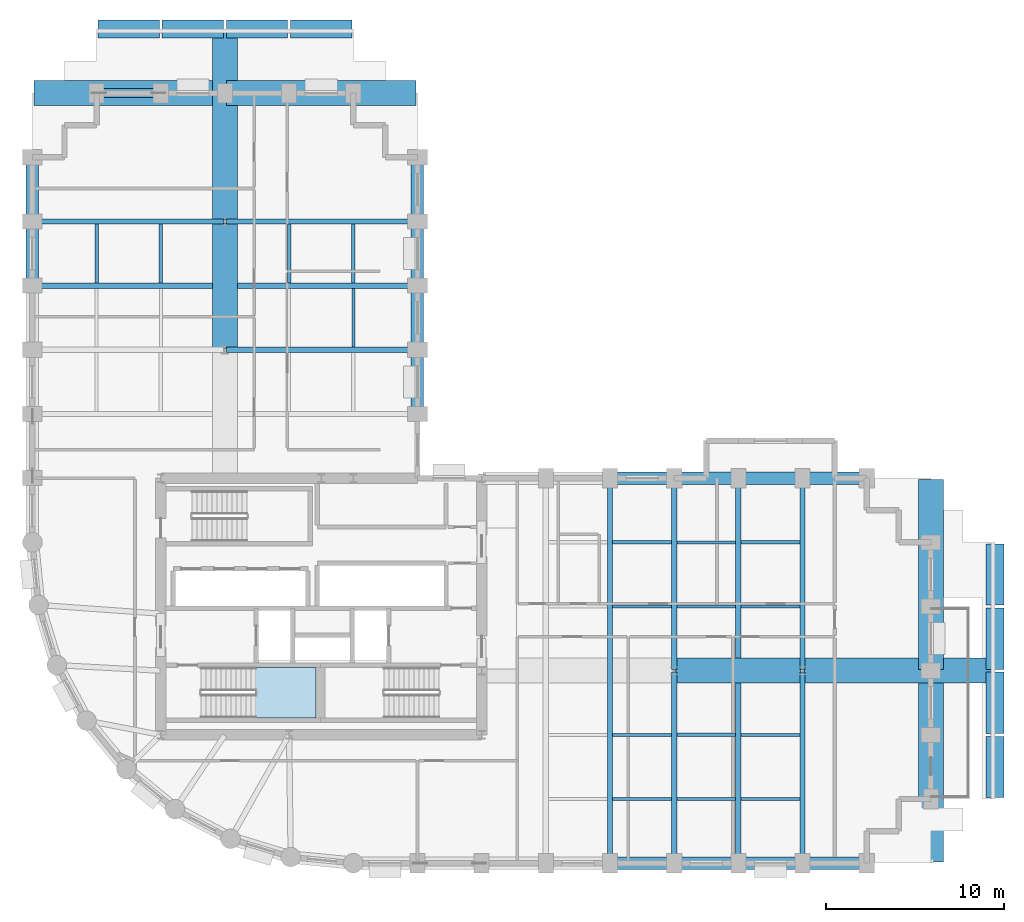
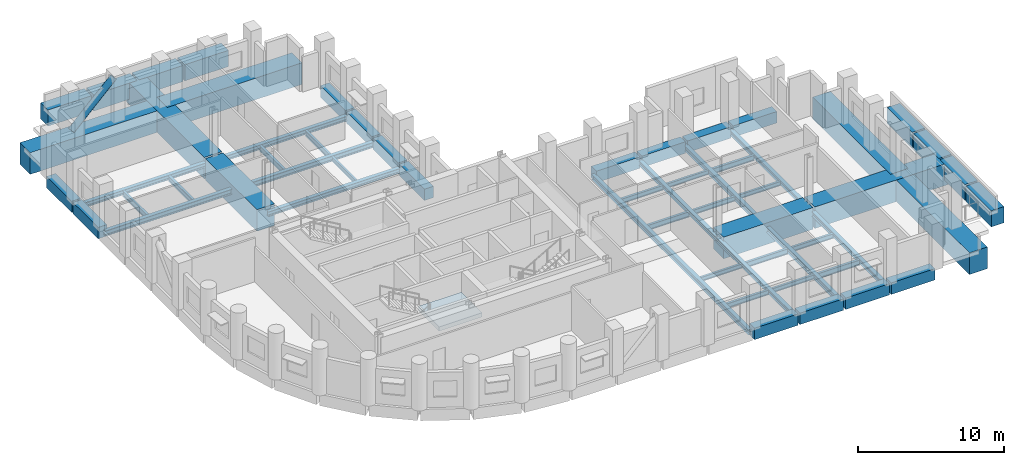
# One storey, part 2 of 9: 57 beams, 1 member, 1 slab, 1 element without a shape of its own.
"""IFC4 building model written with IfcOpenShell, lengths in metres."""

from ifc_helpers import new_model, si_unit, direction, frame, origin, origin_2d, place, context, subcontext, project, spatial, polyline, rectangle, hollow_circle, i_section, outline, extrude, material, layer, layer_set, material_profile, profile_set, type_object, element, aggregate, save


model = new_model("IFC4")

# Units and contexts
model_context = context("Model", 3, precision=1e-05, world=origin(), true_north=direction((0.0, 1.0)))
body_context = subcontext(model_context, "Body", "Model", "MODEL_VIEW")
ifc_project = project(units=[si_unit("LENGTHUNIT", "METRE"), si_unit("AREAUNIT", "SQUARE_METRE"), si_unit("VOLUMEUNIT", "CUBIC_METRE"), si_unit("PLANEANGLEUNIT", "RADIAN"), si_unit("MASSUNIT", "GRAM", prefix="KILO")], contexts=[model_context])

# Site, building, storey
site_placement = place(None, origin())
site = spatial("IfcSite", under=ifc_project, at=site_placement, CompositionType="ELEMENT")
building_placement = place(site_placement, origin())
building = spatial("IfcBuilding", under=site, at=building_placement, Name="Solnavia Interchange Tower", CompositionType="ELEMENT")
storey_placement = place(building_placement, frame((0.0, 0.0, 80.10009765625)))
storey = spatial("IfcBuildingStorey", under=building, at=storey_placement, Name="L19", CompositionType="ELEMENT", Elevation=80.10009765625)

# Beams
ifc_material_1 = material(Name="Steel S355", Category="steel")
ifc_material_profile_1 = material_profile(ifc_material_1, i_section(OverallWidth=0.169921875, OverallDepth=0.360107421875, WebThickness=0.008056640625, FlangeThickness=0.0126953125, FilletRadius=0.01806640625, at=origin_2d()), Name="IPE 360")
ifc_profile_set_1 = profile_set([ifc_material_profile_1], Name="Steel S355")
beam_type_1 = type_object("IfcBeamType", Name="Beam-Joist-IPE360", PredefinedType="JOIST", material=ifc_profile_set_1)
beam_1_placement = place(storey_placement, frame((43.35009765625, 7.199951171875, -0.5), z_axis=(1.0, 0.0, 0.0), x_axis=(0.0, 1.0, 0.0)))
element("IfcBeam", 1, at=beam_1_placement, inside=storey, type_object=beam_type_1, Name="JST-L19-E03 East wing secondary joist", PredefinedType="JOIST", context=body_context, shape_type="SweptSolid", body=[
    extrude(i_section(OverallWidth=0.169921875, OverallDepth=0.360107421875, WebThickness=0.008056640625, FlangeThickness=0.0126953125, FilletRadius=0.01806640625, at=origin_2d()), origin(), (0.0, 0.0, 1.0), 3.2998046875),
])
for number, where, z_axis, x_axis, name in (
    (2, (39.75, 10.800048828125, -0.5), (1.0, 0.0, 0.0), (0.0, 1.0, 0.0), "JST-L19-E06 East wing secondary joist"),
    (3, (46.949951171875, 18.0, -0.5), (1.0, 0.0, 0.0), (0.0, 1.0, 0.0), "JST-L19-E12 East wing secondary joist"),
):
    element("IfcBeam", number, at=place(storey_placement, frame(where, z_axis=z_axis, x_axis=x_axis)), inside=storey, type_object=beam_type_1, Name=name, PredefinedType="JOIST", context=body_context, shape_type="SweptSolid", body=[
        extrude(i_section(OverallWidth=0.169921875, OverallDepth=0.360107421875, WebThickness=0.008056640625, FlangeThickness=0.0126953125, FilletRadius=0.01806640625, at=origin_2d()), origin(), (0.0, 0.0, 1.0), 3.300048828125),
    ])
beam_2_placement = place(storey_placement, frame((43.35009765625, 21.60009765625, -0.5), z_axis=(1.0, 0.0, 0.0), x_axis=(0.0, 1.0, 0.0)))
element("IfcBeam", 4, at=beam_2_placement, inside=storey, type_object=beam_type_1, Name="JST-L19-E15 East wing secondary joist", PredefinedType="JOIST", context=body_context, shape_type="SweptSolid", body=[
    extrude(i_section(OverallWidth=0.169921875, OverallDepth=0.360107421875, WebThickness=0.008056640625, FlangeThickness=0.0126953125, FilletRadius=0.01806640625, at=origin_2d()), origin(), (0.0, 0.0, 1.0), 3.2998046875),
])
beam_3_placement = place(storey_placement, frame((25.199951171875, 32.550048828125, -0.5), z_axis=(0.0, 1.0, 0.0), x_axis=(-1.0, 0.0, 0.0)))
element("IfcBeam", 5, at=beam_3_placement, inside=storey, type_object=beam_type_1, Name="JST-L19-N27 North wing secondary joist", PredefinedType="JOIST", context=body_context, shape_type="SweptSolid", body=[
    extrude(i_section(OverallWidth=0.169921875, OverallDepth=0.360107421875, WebThickness=0.008056640625, FlangeThickness=0.0126953125, FilletRadius=0.01806640625, at=origin_2d()), origin(), (0.0, 0.0, 1.0), 3.300048828125),
])
ifc_material_profile_2 = material_profile(ifc_material_1, i_section(OverallWidth=0.179931640625, OverallDepth=0.39990234375, WebThickness=0.008544921875, FlangeThickness=0.013427734375, FilletRadius=0.02099609375, at=origin_2d()), Name="IPE 400")
ifc_profile_set_2 = profile_set([ifc_material_profile_2], Name="Steel S355")
beam_type_2 = type_object("IfcBeamType", Name="Beam-Joist-IPE400", PredefinedType="JOIST", material=ifc_profile_set_2)
for number, where, z_axis, x_axis, name in (
    (6, (39.75, 7.199951171875, -0.52001953125), (1.0, 0.0, 0.0), (0.0, 1.0, 0.0), "JST-L19-E02 East wing secondary joist"),
    (7, (46.949951171875, 10.800048828125, -0.52001953125), (1.0, 0.0, 0.0), (0.0, 1.0, 0.0), "JST-L19-E08 East wing secondary joist"),
):
    element("IfcBeam", number, at=place(storey_placement, frame(where, z_axis=z_axis, x_axis=x_axis)), inside=storey, type_object=beam_type_2, Name=name, PredefinedType="JOIST", context=body_context, shape_type="SweptSolid", body=[
        extrude(i_section(OverallWidth=0.179931640625, OverallDepth=0.39990234375, WebThickness=0.008544921875, FlangeThickness=0.013427734375, FilletRadius=0.02099609375, at=origin_2d()), origin(), (0.0, 0.0, 1.0), 3.300048828125),
    ])
beam_4_placement = place(storey_placement, frame((43.35009765625, 18.0, -0.52001953125), z_axis=(1.0, 0.0, 0.0), x_axis=(0.0, 1.0, 0.0)))
element("IfcBeam", 8, at=beam_4_placement, inside=storey, type_object=beam_type_2, Name="JST-L19-E11 East wing secondary joist", PredefinedType="JOIST", context=body_context, shape_type="SweptSolid", body=[
    extrude(i_section(OverallWidth=0.179931640625, OverallDepth=0.39990234375, WebThickness=0.008544921875, FlangeThickness=0.013427734375, FilletRadius=0.02099609375, at=origin_2d()), origin(), (0.0, 0.0, 1.0), 3.2998046875),
])
beam_5_placement = place(storey_placement, frame((39.75, 21.60009765625, -0.52001953125), z_axis=(1.0, 0.0, 0.0), x_axis=(0.0, 1.0, 0.0)))
element("IfcBeam", 9, at=beam_5_placement, inside=storey, type_object=beam_type_2, Name="JST-L19-E14 East wing secondary joist", PredefinedType="JOIST", context=body_context, shape_type="SweptSolid", body=[
    extrude(i_section(OverallWidth=0.179931640625, OverallDepth=0.39990234375, WebThickness=0.008544921875, FlangeThickness=0.013427734375, FilletRadius=0.02099609375, at=origin_2d()), origin(), (0.0, 0.0, 1.0), 3.300048828125),
])
ifc_material_profile_3 = material_profile(ifc_material_1, i_section(OverallWidth=0.18994140625, OverallDepth=0.449951171875, WebThickness=0.009521484375, FlangeThickness=0.0146484375, FilletRadius=0.02099609375, at=origin_2d()), Name="IPE 450")
ifc_profile_set_3 = profile_set([ifc_material_profile_3], Name="Steel S355")
beam_type_3 = type_object("IfcBeamType", Name="Beam-Joist-IPE450", PredefinedType="JOIST", material=ifc_profile_set_3)
beam_6_placement = place(storey_placement, frame((46.949951171875, 7.199951171875, -0.545166015625), z_axis=(1.0, 0.0, 0.0), x_axis=(0.0, 1.0, 0.0)))
element("IfcBeam", 10, at=beam_6_placement, inside=storey, type_object=beam_type_3, Name="JST-L19-E04 East wing secondary joist", PredefinedType="JOIST", context=body_context, shape_type="SweptSolid", body=[
    extrude(i_section(OverallWidth=0.18994140625, OverallDepth=0.449951171875, WebThickness=0.009521484375, FlangeThickness=0.0146484375, FilletRadius=0.02099609375, at=origin_2d()), origin(), (0.0, 0.0, 1.0), 3.300048828125),
])
beam_7_placement = place(storey_placement, frame((43.35009765625, 10.800048828125, -0.545166015625), z_axis=(1.0, 0.0, 0.0), x_axis=(0.0, 1.0, 0.0)))
element("IfcBeam", 11, at=beam_7_placement, inside=storey, type_object=beam_type_3, Name="JST-L19-E07 East wing secondary joist", PredefinedType="JOIST", context=body_context, shape_type="SweptSolid", body=[
    extrude(i_section(OverallWidth=0.18994140625, OverallDepth=0.449951171875, WebThickness=0.009521484375, FlangeThickness=0.0146484375, FilletRadius=0.02099609375, at=origin_2d()), origin(), (0.0, 0.0, 1.0), 3.2998046875),
])
for number, where, z_axis, x_axis, name in (
    (12, (39.75, 18.0, -0.545166015625), (1.0, 0.0, 0.0), (0.0, 1.0, 0.0), "JST-L19-E10 East wing secondary joist"),
    (13, (46.949951171875, 21.60009765625, -0.545166015625), (1.0, 0.0, 0.0), (0.0, 1.0, 0.0), "JST-L19-E16 East wing secondary joist"),
    (14, (10.800048828125, 36.14990234375, -0.545166015625), (0.0, 1.0, 0.0), (-1.0, 0.0, 0.0), "JST-L19-N19 North wing secondary joist"),
    (15, (14.39990234375, 36.14990234375, -0.545166015625), (0.0, 1.0, 0.0), (-1.0, 0.0, 0.0), "JST-L19-N22 North wing secondary joist"),
    (16, (21.60009765625, 36.14990234375, -0.545166015625), (0.0, 1.0, 0.0), (-1.0, 0.0, 0.0), "JST-L19-N25 North wing secondary joist"),
    (17, (25.199951171875, 36.14990234375, -0.545166015625), (0.0, 1.0, 0.0), (-1.0, 0.0, 0.0), "JST-L19-N28 North wing secondary joist"),
):
    element("IfcBeam", number, at=place(storey_placement, frame(where, z_axis=z_axis, x_axis=x_axis)), inside=storey, type_object=beam_type_3, Name=name, PredefinedType="JOIST", context=body_context, shape_type="SweptSolid", body=[
        extrude(i_section(OverallWidth=0.18994140625, OverallDepth=0.449951171875, WebThickness=0.009521484375, FlangeThickness=0.0146484375, FilletRadius=0.02099609375, at=origin_2d()), origin(), (0.0, 0.0, 1.0), 3.300048828125),
    ])
ifc_material_profile_4 = material_profile(ifc_material_1, i_section(OverallWidth=0.300048828125, OverallDepth=0.389892578125, WebThickness=0.010986328125, FlangeThickness=0.01904296875, FilletRadius=0.027099609375, at=origin_2d()), Name="HEA 400")
ifc_profile_set_4 = profile_set([ifc_material_profile_4], Name="Steel S355")
beam_type_4 = type_object("IfcBeamType", Name="Beam-Primary-HEA400", PredefinedType="BEAM", material=ifc_profile_set_4)
for number, where, z_axis, x_axis, name in (
    (18, (43.199951171875, 3.679931640625, -0.51513671875), (0.0, 1.0, 0.0), (-1.0, 0.0, 0.0), "GRD-L19-EW03 East wing primary floor girder"),
    (19, (43.199951171875, 14.47998046875, -0.51513671875), (0.0, 1.0, 0.0), (-1.0, 0.0, 0.0), "GRD-L19-EW04 East wing primary floor girder"),
    (20, (50.39990234375, 3.679931640625, -0.51513671875), (0.0, 1.0, 0.0), (-1.0, 0.0, 0.0), "GRD-L19-EW06 East wing primary floor girder"),
    (21, (50.39990234375, 14.47998046875, -0.51513671875), (0.0, 1.0, 0.0), (-1.0, 0.0, 0.0), "GRD-L19-EW07 East wing primary floor girder"),
):
    element("IfcBeam", number, at=place(storey_placement, frame(where, z_axis=z_axis, x_axis=x_axis)), inside=storey, type_object=beam_type_4, Name=name, PredefinedType="BEAM", context=body_context, shape_type="SweptSolid", body=[
        extrude(i_section(OverallWidth=0.300048828125, OverallDepth=0.389892578125, WebThickness=0.010986328125, FlangeThickness=0.01904296875, FilletRadius=0.027099609375, at=origin_2d()), origin(), (0.0, 0.0, 1.0), 10.64013671875),
    ])
for number, where, z_axis, x_axis, name in (
    (22, (18.080078125, 32.39990234375, -0.51513671875), (1.0, 0.0, 0.0), (0.0, 1.0, 0.0), "GRD-L19-NW10 North wing primary floor girder"),
    (23, (7.280029296875, 39.60009765625, -0.51513671875), (1.0, 0.0, 0.0), (0.0, 1.0, 0.0), "GRD-L19-NW12 North wing primary floor girder"),
    (24, (18.080078125, 39.60009765625, -0.51513671875), (1.0, 0.0, 0.0), (0.0, 1.0, 0.0), "GRD-L19-NW13 North wing primary floor girder"),
):
    element("IfcBeam", number, at=place(storey_placement, frame(where, z_axis=z_axis, x_axis=x_axis)), inside=storey, type_object=beam_type_4, Name=name, PredefinedType="BEAM", context=body_context, shape_type="SweptSolid", body=[
        extrude(i_section(OverallWidth=0.300048828125, OverallDepth=0.389892578125, WebThickness=0.010986328125, FlangeThickness=0.01904296875, FilletRadius=0.027099609375, at=origin_2d()), origin(), (0.0, 0.0, 1.0), 10.639892578125),
    ])
ifc_material_profile_5 = material_profile(ifc_material_1, i_section(OverallWidth=0.300048828125, OverallDepth=0.43994140625, WebThickness=0.011474609375, FlangeThickness=0.02099609375, FilletRadius=0.027099609375, at=origin_2d()), Name="HEA 450")
ifc_profile_set_5 = profile_set([ifc_material_profile_5], Name="Steel S355")
beam_type_5 = type_object("IfcBeamType", Name="Beam-Primary-HEA450", PredefinedType="BEAM", material=ifc_profile_set_5)
for number, where, z_axis, x_axis, name in (
    (25, (39.60009765625, 3.679931640625, -0.5400390625), (0.0, 1.0, 0.0), (-1.0, 0.0, 0.0), "GRD-L19-EW02 East wing primary floor girder"),
    (26, (46.800048828125, 3.679931640625, -0.5400390625), (0.0, 1.0, 0.0), (-1.0, 0.0, 0.0), "GRD-L19-EW05 East wing primary floor girder"),
):
    element("IfcBeam", number, at=place(storey_placement, frame(where, z_axis=z_axis, x_axis=x_axis)), inside=storey, type_object=beam_type_5, Name=name, PredefinedType="BEAM", context=body_context, shape_type="SweptSolid", body=[
        extrude(i_section(OverallWidth=0.300048828125, OverallDepth=0.43994140625, WebThickness=0.011474609375, FlangeThickness=0.02099609375, FilletRadius=0.027099609375, at=origin_2d()), origin(), (0.0, 0.0, 1.0), 21.440185546875),
    ])
beam_8_placement = place(storey_placement, frame((7.280029296875, 36.0, -0.5400390625), z_axis=(1.0, 0.0, 0.0), x_axis=(0.0, 1.0, 0.0)))
element("IfcBeam", 27, at=beam_8_placement, inside=storey, type_object=beam_type_5, Name="GRD-L19-NW11 North wing primary floor girder", PredefinedType="BEAM", context=body_context, shape_type="SweptSolid", body=[
    extrude(i_section(OverallWidth=0.300048828125, OverallDepth=0.43994140625, WebThickness=0.011474609375, FlangeThickness=0.02099609375, FilletRadius=0.027099609375, at=origin_2d()), origin(), (0.0, 0.0, 1.0), 21.43994140625),
])
ifc_material_2 = material(Name="Concrete C50/60", Category="concrete")
ifc_material_profile_6 = material_profile(ifc_material_2, rectangle(XDim=0.699951171875, YDim=0.949951171875, at=origin_2d()), Name="RC 700x950")
ifc_profile_set_6 = profile_set([ifc_material_profile_6], Name="Concrete C50/60")
beam_type_6 = type_object("IfcBeamType", Name="Beam-Spandrel-RC700x950", PredefinedType="SPANDREL", material=ifc_profile_set_6)
beam_9_placement = place(storey_placement, frame((39.679931640625, 3.60009765625, -0.47509765625), z_axis=(1.0, 0.0, 0.0), x_axis=(0.0, 1.0, 0.0)))
element("IfcBeam", 28, at=beam_9_placement, inside=storey, type_object=beam_type_6, Name="SPB-L19-13 Framed-tube perimeter spandrel beam", PredefinedType="SPANDREL", context=body_context, shape_type="SweptSolid", body=[
    extrude(rectangle(XDim=0.699951171875, YDim=0.949951171875, at=origin_2d()), origin(), (0.0, 0.0, 1.0), 3.440185546875),
])
beam_10_placement = place(storey_placement, frame((43.280029296875, 3.60009765625, -0.47509765625), z_axis=(1.0, 0.0, 0.0), x_axis=(0.0, 1.0, 0.0)))
element("IfcBeam", 29, at=beam_10_placement, inside=storey, type_object=beam_type_6, Name="SPB-L19-14 Framed-tube perimeter spandrel beam", PredefinedType="SPANDREL", context=body_context, shape_type="SweptSolid", body=[
    extrude(rectangle(XDim=0.699951171875, YDim=0.949951171875, at=origin_2d()), origin(), (0.0, 0.0, 1.0), 3.43994140625),
])
beam_11_placement = place(storey_placement, frame((46.8798828125, 3.60009765625, -0.47509765625), z_axis=(1.0, 0.0, 0.0), x_axis=(0.0, 1.0, 0.0)))
element("IfcBeam", 30, at=beam_11_placement, inside=storey, type_object=beam_type_6, Name="SPB-L19-15 Framed-tube perimeter spandrel beam", PredefinedType="SPANDREL", context=body_context, shape_type="SweptSolid", body=[
    extrude(rectangle(XDim=0.699951171875, YDim=0.949951171875, at=origin_2d()), origin(), (0.0, 0.0, 1.0), 3.440185546875),
])
for number, where, z_axis, x_axis, name in (
    (31, (50.47998046875, 3.60009765625, -0.47509765625), (1.0, 0.0, 0.0), (0.0, 1.0, 0.0), "SPB-L19-16 Framed-tube perimeter spandrel beam"),
    (32, (53.919921875, 25.199951171875, -0.47509765625), (-1.0, 0.0, 0.0), (0.0, -1.0, 0.0), "SPB-L19-17 Framed-tube perimeter spandrel beam"),
):
    element("IfcBeam", number, at=place(storey_placement, frame(where, z_axis=z_axis, x_axis=x_axis)), inside=storey, type_object=beam_type_6, Name=name, PredefinedType="SPANDREL", context=body_context, shape_type="SweptSolid", body=[
        extrude(rectangle(XDim=0.699951171875, YDim=0.949951171875, at=origin_2d()), origin(), (0.0, 0.0, 1.0), 3.43994140625),
    ])
beam_12_placement = place(storey_placement, frame((50.320068359375, 25.199951171875, -0.47509765625), z_axis=(-1.0, 0.0, 0.0), x_axis=(0.0, -1.0, 0.0)))
element("IfcBeam", 33, at=beam_12_placement, inside=storey, type_object=beam_type_6, Name="SPB-L19-18 Framed-tube perimeter spandrel beam", PredefinedType="SPANDREL", context=body_context, shape_type="SweptSolid", body=[
    extrude(rectangle(XDim=0.699951171875, YDim=0.949951171875, at=origin_2d()), origin(), (0.0, 0.0, 1.0), 3.440185546875),
])
beam_13_placement = place(storey_placement, frame((46.719970703125, 25.199951171875, -0.47509765625), z_axis=(-1.0, 0.0, 0.0), x_axis=(0.0, -1.0, 0.0)))
element("IfcBeam", 34, at=beam_13_placement, inside=storey, type_object=beam_type_6, Name="SPB-L19-19 Framed-tube perimeter spandrel beam", PredefinedType="SPANDREL", context=body_context, shape_type="SweptSolid", body=[
    extrude(rectangle(XDim=0.699951171875, YDim=0.949951171875, at=origin_2d()), origin(), (0.0, 0.0, 1.0), 3.43994140625),
])
for number, where, z_axis, x_axis, name in (
    (35, (43.1201171875, 25.199951171875, -0.47509765625), (-1.0, 0.0, 0.0), (0.0, -1.0, 0.0), "SPB-L19-20 Framed-tube perimeter spandrel beam"),
    (36, (28.800048828125, 28.8798828125, -0.47509765625), (0.0, 1.0, 0.0), (-1.0, 0.0, 0.0), "SPB-L19-23 Framed-tube perimeter spandrel beam"),
):
    element("IfcBeam", number, at=place(storey_placement, frame(where, z_axis=z_axis, x_axis=x_axis)), inside=storey, type_object=beam_type_6, Name=name, PredefinedType="SPANDREL", context=body_context, shape_type="SweptSolid", body=[
        extrude(rectangle(XDim=0.699951171875, YDim=0.949951171875, at=origin_2d()), origin(), (0.0, 0.0, 1.0), 3.440185546875),
    ])
for number, where, z_axis, x_axis, name in (
    (37, (28.800048828125, 32.47998046875, -0.47509765625), (0.0, 1.0, 0.0), (-1.0, 0.0, 0.0), "SPB-L19-24 Framed-tube perimeter spandrel beam"),
    (38, (28.800048828125, 36.080078125, -0.47509765625), (0.0, 1.0, 0.0), (-1.0, 0.0, 0.0), "SPB-L19-25 Framed-tube perimeter spandrel beam"),
):
    element("IfcBeam", number, at=place(storey_placement, frame(where, z_axis=z_axis, x_axis=x_axis)), inside=storey, type_object=beam_type_6, Name=name, PredefinedType="SPANDREL", context=body_context, shape_type="SweptSolid", body=[
        extrude(rectangle(XDim=0.699951171875, YDim=0.949951171875, at=origin_2d()), origin(), (0.0, 0.0, 1.0), 3.43994140625),
    ])
for number, where, z_axis, x_axis, name in (
    (39, (28.800048828125, 39.679931640625, -0.47509765625), (0.0, 1.0, 0.0), (-1.0, 0.0, 0.0), "SPB-L19-26 Framed-tube perimeter spandrel beam"),
    (40, (7.199951171875, 43.1201171875, -0.47509765625), (0.0, -1.0, 0.0), (1.0, 0.0, 0.0), "SPB-L19-27 Framed-tube perimeter spandrel beam"),
):
    element("IfcBeam", number, at=place(storey_placement, frame(where, z_axis=z_axis, x_axis=x_axis)), inside=storey, type_object=beam_type_6, Name=name, PredefinedType="SPANDREL", context=body_context, shape_type="SweptSolid", body=[
        extrude(rectangle(XDim=0.699951171875, YDim=0.949951171875, at=origin_2d()), origin(), (0.0, 0.0, 1.0), 3.440185546875),
    ])
beam_14_placement = place(storey_placement, frame((7.199951171875, 39.52001953125, -0.47509765625), z_axis=(0.0, -1.0, 0.0), x_axis=(1.0, 0.0, 0.0)))
element("IfcBeam", 41, at=beam_14_placement, inside=storey, type_object=beam_type_6, Name="SPB-L19-28 Framed-tube perimeter spandrel beam", PredefinedType="SPANDREL", context=body_context, shape_type="SweptSolid", body=[
    extrude(rectangle(XDim=0.699951171875, YDim=0.949951171875, at=origin_2d()), origin(), (0.0, 0.0, 1.0), 3.43994140625),
])
ifc_material_3 = material(Name="Concrete C60/75", Category="concrete")
ifc_material_profile_7 = material_profile(ifc_material_3, rectangle(XDim=1.0, YDim=1.35009765625, at=origin_2d()), Name="RC 1000x1350")
ifc_profile_set_7 = profile_set([ifc_material_profile_7], Name="Concrete C60/75")
beam_type_7 = type_object("IfcBeamType", Name="Beam-Transfer-RC1000x1350", PredefinedType="BEAM", material=ifc_profile_set_7)
beam_15_placement = place(storey_placement, frame((61.199951171875, 7.280029296875, -0.675048828125), z_axis=(0.0, 1.0, 0.0), x_axis=(-1.0, 0.0, 0.0)))
element("IfcBeam", 42, at=beam_15_placement, inside=storey, type_object=beam_type_7, Name="TRB-L19-06 East setback ledge edge beam", PredefinedType="BEAM", context=body_context, shape_type="SweptSolid", body=[
    extrude(rectangle(XDim=1.0, YDim=1.35009765625, at=origin_2d()), origin(), (0.0, 0.0, 1.0), 3.43994140625),
])
beam_16_placement = place(storey_placement, frame((61.199951171875, 10.8798828125, -0.675048828125), z_axis=(0.0, 1.0, 0.0), x_axis=(-1.0, 0.0, 0.0)))
element("IfcBeam", 43, at=beam_16_placement, inside=storey, type_object=beam_type_7, Name="TRB-L19-07 East setback ledge edge beam", PredefinedType="BEAM", context=body_context, shape_type="SweptSolid", body=[
    extrude(rectangle(XDim=1.0, YDim=1.35009765625, at=origin_2d()), origin(), (0.0, 0.0, 1.0), 3.440185546875),
])
for number, where, z_axis, x_axis, name in (
    (44, (61.199951171875, 14.47998046875, -0.675048828125), (0.0, 1.0, 0.0), (-1.0, 0.0, 0.0), "TRB-L19-08 East setback ledge edge beam"),
    (45, (61.199951171875, 18.080078125, -0.675048828125), (0.0, 1.0, 0.0), (-1.0, 0.0, 0.0), "TRB-L19-09 East setback ledge edge beam"),
):
    element("IfcBeam", number, at=place(storey_placement, frame(where, z_axis=z_axis, x_axis=x_axis)), inside=storey, type_object=beam_type_7, Name=name, PredefinedType="BEAM", context=body_context, shape_type="SweptSolid", body=[
        extrude(rectangle(XDim=1.0, YDim=1.35009765625, at=origin_2d()), origin(), (0.0, 0.0, 1.0), 3.43994140625),
    ])
beam_17_placement = place(storey_placement, frame((10.8798828125, 50.39990234375, -0.675048828125), z_axis=(1.0, 0.0, 0.0), x_axis=(0.0, 1.0, 0.0)))
element("IfcBeam", 46, at=beam_17_placement, inside=storey, type_object=beam_type_7, Name="TRB-L19-15 North setback ledge edge beam", PredefinedType="BEAM", context=body_context, shape_type="SweptSolid", body=[
    extrude(rectangle(XDim=1.0, YDim=1.35009765625, at=origin_2d()), origin(), (0.0, 0.0, 1.0), 3.440185546875),
])
for number, where, z_axis, x_axis, name in (
    (47, (14.47998046875, 50.39990234375, -0.675048828125), (1.0, 0.0, 0.0), (0.0, 1.0, 0.0), "TRB-L19-16 North setback ledge edge beam"),
    (48, (18.080078125, 50.39990234375, -0.675048828125), (1.0, 0.0, 0.0), (0.0, 1.0, 0.0), "TRB-L19-17 North setback ledge edge beam"),
):
    element("IfcBeam", number, at=place(storey_placement, frame(where, z_axis=z_axis, x_axis=x_axis)), inside=storey, type_object=beam_type_7, Name=name, PredefinedType="BEAM", context=body_context, shape_type="SweptSolid", body=[
        extrude(rectangle(XDim=1.0, YDim=1.35009765625, at=origin_2d()), origin(), (0.0, 0.0, 1.0), 3.43994140625),
    ])
beam_18_placement = place(storey_placement, frame((21.679931640625, 50.39990234375, -0.675048828125), z_axis=(1.0, 0.0, 0.0), x_axis=(0.0, 1.0, 0.0)))
element("IfcBeam", 49, at=beam_18_placement, inside=storey, type_object=beam_type_7, Name="TRB-L19-18 North setback ledge edge beam", PredefinedType="BEAM", context=body_context, shape_type="SweptSolid", body=[
    extrude(rectangle(XDim=1.0, YDim=1.35009765625, at=origin_2d()), origin(), (0.0, 0.0, 1.0), 3.440185546875),
])
ifc_material_profile_8 = material_profile(ifc_material_3, rectangle(XDim=1.39990234375, YDim=1.800048828125, at=origin_2d()), Name="RC 1400x1800")
ifc_profile_set_8 = profile_set([ifc_material_profile_8], Name="Concrete C60/75")
beam_type_8 = type_object("IfcBeamType", Name="Beam-Transfer-RC1400x1800", PredefinedType="BEAM", material=ifc_profile_set_8)
beam_19_placement = place(storey_placement, frame((43.280029296875, 14.39990234375, -0.900146484375), z_axis=(1.0, 0.0, 0.0), x_axis=(0.0, 1.0, 0.0)))
element("IfcBeam", 50, at=beam_19_placement, inside=storey, type_object=beam_type_8, Name="TRB-L19-02 East setback spine transfer girder", PredefinedType="BEAM", context=body_context, shape_type="SweptSolid", body=[
    extrude(rectangle(XDim=1.39990234375, YDim=1.800048828125, at=origin_2d()), origin(), (0.0, 0.0, 1.0), 7.0400390625),
])
for number, where, z_axis, x_axis, name in (
    (51, (50.47998046875, 14.39990234375, -0.900146484375), (1.0, 0.0, 0.0), (0.0, 1.0, 0.0), "TRB-L19-03 East setback spine transfer girder"),
    (52, (57.60009765625, 3.679931640625, -0.900146484375), (0.0, 1.0, 0.0), (-1.0, 0.0, 0.0), "TRB-L19-04 East setback perimeter transfer girder"),
    (53, (57.60009765625, 14.47998046875, -0.900146484375), (0.0, 1.0, 0.0), (-1.0, 0.0, 0.0), "TRB-L19-05 East setback perimeter transfer girder"),
):
    element("IfcBeam", number, at=place(storey_placement, frame(where, z_axis=z_axis, x_axis=x_axis)), inside=storey, type_object=beam_type_8, Name=name, PredefinedType="BEAM", context=body_context, shape_type="SweptSolid", body=[
        extrude(rectangle(XDim=1.39990234375, YDim=1.800048828125, at=origin_2d()), origin(), (0.0, 0.0, 1.0), 10.64013671875),
    ])
beam_20_placement = place(storey_placement, frame((18.0, 32.47998046875, -0.900146484375), z_axis=(0.0, 1.0, 0.0), x_axis=(-1.0, 0.0, 0.0)))
element("IfcBeam", 54, at=beam_20_placement, inside=storey, type_object=beam_type_8, Name="TRB-L19-11 North setback spine transfer girder", PredefinedType="BEAM", context=body_context, shape_type="SweptSolid", body=[
    extrude(rectangle(XDim=1.39990234375, YDim=1.800048828125, at=origin_2d()), origin(), (0.0, 0.0, 1.0), 7.0400390625),
])
beam_21_placement = place(storey_placement, frame((18.0, 39.679931640625, -0.900146484375), z_axis=(0.0, 1.0, 0.0), x_axis=(-1.0, 0.0, 0.0)))
element("IfcBeam", 55, at=beam_21_placement, inside=storey, type_object=beam_type_8, Name="TRB-L19-12 North setback spine transfer girder", PredefinedType="BEAM", context=body_context, shape_type="SweptSolid", body=[
    extrude(rectangle(XDim=1.39990234375, YDim=1.800048828125, at=origin_2d()), origin(), (0.0, 0.0, 1.0), 10.64013671875),
])
for number, where, z_axis, x_axis, name in (
    (56, (7.280029296875, 46.800048828125, -0.900146484375), (1.0, 0.0, 0.0), (0.0, 1.0, 0.0), "TRB-L19-13 North setback perimeter transfer girder"),
    (57, (18.080078125, 46.800048828125, -0.900146484375), (1.0, 0.0, 0.0), (0.0, 1.0, 0.0), "TRB-L19-14 North setback perimeter transfer girder"),
):
    element("IfcBeam", number, at=place(storey_placement, frame(where, z_axis=z_axis, x_axis=x_axis)), inside=storey, type_object=beam_type_8, Name=name, PredefinedType="BEAM", context=body_context, shape_type="SweptSolid", body=[
        extrude(rectangle(XDim=1.39990234375, YDim=1.800048828125, at=origin_2d()), origin(), (0.0, 0.0, 1.0), 10.639892578125),
    ])

# Member
ifc_material_4 = material(Name="Steel S460", Category="steel")
ifc_material_profile_9 = material_profile(ifc_material_4, hollow_circle(Radius=0.25390625, WallThickness=0.02490234375, at=origin_2d()), Name="CHS 508x25")
ifc_profile_set_9 = profile_set([ifc_material_profile_9], Name="Steel S460")
member_type = type_object("IfcMemberType", Name="Brace-Perim-CHS508", PredefinedType="BRACE", material=ifc_profile_set_9)
member_placement = place(storey_placement, frame((10.93994140625, 46.800048828125, 0.179931640625), z_axis=(0.710311792477, 0.0, 0.703887176661), x_axis=(0.0, 1.0, 0.0)))
element("IfcMember", 58, at=member_placement, inside=storey, type_object=member_type, Name="BRC-L19-03 Perimeter tube diagonal brace", PredefinedType="BRACE", context=body_context, shape_type="SweptSolid", body=[
    extrude(hollow_circle(Radius=0.25390625, WallThickness=0.02490234375, at=origin_2d()), origin(), (0.0, 0.0, 1.0), 4.674072265625),
])

# Stair, slab
ifc_material_5 = material(Name="Concrete C40/50", Category="concrete")
stair_type = type_object("IfcStairType", Name="Stair-Dogleg-RC", PredefinedType="HALF_TURN_STAIR", material=ifc_material_5)
stair_placement = place(storey_placement, origin())
stair = element("IfcStair", 59, at=stair_placement, inside=storey, type_object=stair_type, Name="L19 Core exit stair 1", PredefinedType="HALF_TURN_STAIR")
ifc_layer = layer(ifc_material_5, 0.35009765625)
ifc_layer_set = layer_set([ifc_layer], Name="Concrete C40/50")
slab_type = type_object("IfcSlabType", Name="Slab-StairLanding-350", PredefinedType="LANDING", material=ifc_layer_set)
slab_placement = place(storey_placement, frame((0.0, 0.0, 1.599853515625)))
slab = element("IfcSlab", 60, at=slab_placement, type_object=slab_type, Name="ST-1 landing 1", PredefinedType="LANDING", context=body_context, shape_type="SweptSolid", body=[
    extrude(outline(polyline([(19.7080078125, 11.75), (23.10009765625, 11.75), (23.10009765625, 14.590087890625), (19.7080078125, 14.590087890625), (19.7080078125, 11.75)])), origin(), (0.0, 0.0, 1.0), 0.35009765625),
])
aggregate(stair, [slab])

save(model, "model.ifc")
